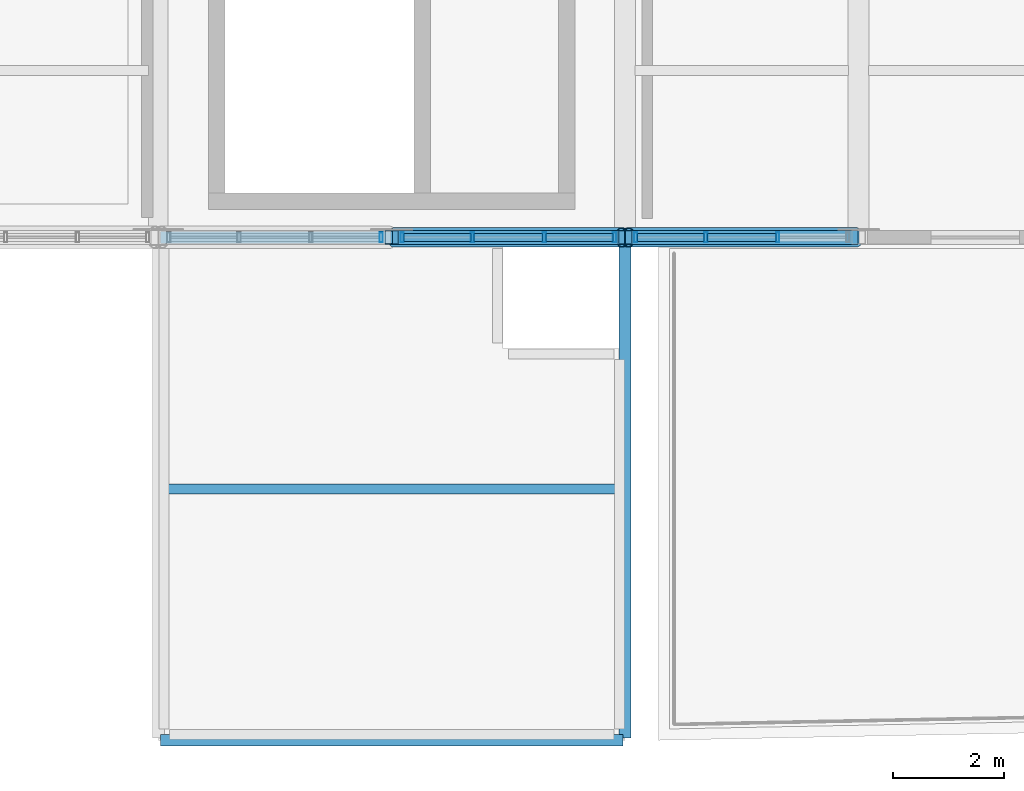
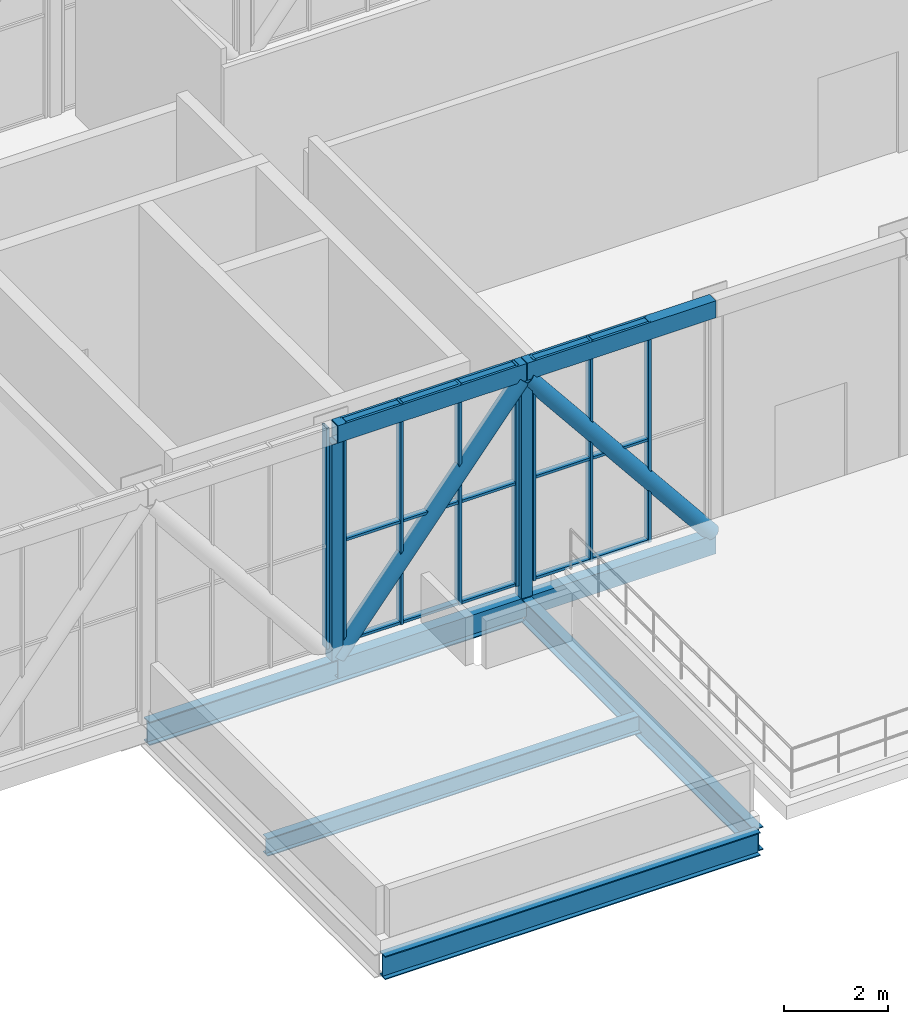
# One storey, part 4 of 58: 31 members, 4 beams, 3 elements without a shape of their own.
"""IFC4 building model written with IfcOpenShell, lengths in metres."""

from ifc_helpers import new_model, si_unit, direction, frame, origin, origin_2d, place, context, subcontext, project, spatial, hollow_rectangle, hollow_circle, i_section, extrude, material, material_profile, profile_set, type_object, element, aggregate, save


model = new_model("IFC4")

# Units and contexts
model_context = context("Model", 3, precision=1e-05, world=origin(), true_north=direction((0.0, 1.0)))
body_context = subcontext(model_context, "Body", "Model", "MODEL_VIEW")
ifc_project = project(units=[si_unit("LENGTHUNIT", "METRE"), si_unit("AREAUNIT", "SQUARE_METRE"), si_unit("VOLUMEUNIT", "CUBIC_METRE"), si_unit("PLANEANGLEUNIT", "RADIAN"), si_unit("MASSUNIT", "GRAM", prefix="KILO")], contexts=[model_context])

# Site, building, storey
site_placement = place(None, origin())
site = spatial("IfcSite", under=ifc_project, at=site_placement, CompositionType="ELEMENT")
building_placement = place(site_placement, origin())
building = spatial("IfcBuilding", under=site, at=building_placement, Name="Khurvash Pelagic Aquarium", CompositionType="ELEMENT")
storey_placement = place(building_placement, frame((0.0, 0.0, 24.60009765625)))
storey = spatial("IfcBuildingStorey", under=building, at=storey_placement, Name="L05", CompositionType="ELEMENT", Elevation=24.60009765625)

# Beams
ifc_material_1 = material(Name="Steel ASTM A992 Grade 50", Category="steel")
ifc_material_profile_1 = material_profile(ifc_material_1, i_section(OverallWidth=0.214111328125, OverallDepth=0.549072265625, WebThickness=0.0146484375, FlangeThickness=0.023681640625, at=origin_2d()), Name="W21X93")
ifc_profile_set_1 = profile_set([ifc_material_profile_1], Name="Steel ASTM A992 Grade 50")
beam_type_1 = type_object("IfcBeamType", Name="BM-11", PredefinedType="BEAM", material=ifc_profile_set_1)
for number, where, z_axis, x_axis, name in (
    (1, (25.239990234375, 2.60009765625, -0.594482421875), (1.0, 0.0, 0.0), (0.0, 1.0, 0.0), "L05 Roof Girder BM-11 01256"),
    (2, (25.239990234375, 11.64990234375, -0.594482421875), (1.0, 0.0, 0.0), (0.0, 1.0, 0.0), "L05 Roof Girder BM-11 01258"),
):
    element("IfcBeam", number, at=place(storey_placement, frame(where, z_axis=z_axis, x_axis=x_axis)), inside=storey, type_object=beam_type_1, Name=name, PredefinedType="BEAM", context=body_context, shape_type="SweptSolid", body=[
        extrude(i_section(OverallWidth=0.214111328125, OverallDepth=0.549072265625, WebThickness=0.0146484375, FlangeThickness=0.023681640625, at=origin_2d()), origin(), (0.0, 0.0, 1.0), 8.320068359375),
    ])
beam_1_placement = place(storey_placement, frame((33.60009765625, 2.639892578125, -0.594482421875), z_axis=(0.0, 1.0, 0.0), x_axis=(-1.0, 0.0, 0.0)))
element("IfcBeam", 3, at=beam_1_placement, inside=storey, type_object=beam_type_1, Name="L05 Roof Girder BM-11 01276", PredefinedType="BEAM", context=body_context, shape_type="SweptSolid", body=[
    extrude(i_section(OverallWidth=0.214111328125, OverallDepth=0.549072265625, WebThickness=0.0146484375, FlangeThickness=0.023681640625, at=origin_2d()), origin(), (0.0, 0.0, 1.0), 8.97021484375),
])

# Curtain wall, member
ifc_material_2 = material(Name="Anodised aluminium and low-E laminated glass", Category="aluminium")
curtain_wall_type = type_object("IfcCurtainWallType", Name="CW-01", PredefinedType="USERDEFINED", material=ifc_material_2)
curtain_wall_1_placement = place(storey_placement, origin())
curtain_wall_1 = element("IfcCurtainWall", 4, at=curtain_wall_1_placement, inside=storey, type_object=curtain_wall_type, Name="L05 South Sky-Bar Unitised Curtain Wall CW-01 P04", ObjectType="UNITISED CURTAIN WALL", PredefinedType="USERDEFINED")
ifc_material_3 = material(Name="Extruded aluminium AW-6063-T6", Category="aluminium")
ifc_material_profile_2 = material_profile(ifc_material_3, hollow_rectangle(XDim=0.06005859375, YDim=0.179931640625, WallThickness=0.00390625, at=origin_2d()), Name="CWM60X180X4")
ifc_profile_set_2 = profile_set([ifc_material_profile_2], Name="Extruded aluminium AW-6063-T6")
member_type_1 = type_object("IfcMemberType", Name="CM-01", PredefinedType="MULLION", material=ifc_profile_set_2)
member_1_placement = place(storey_placement, frame((29.2099609375, 11.64990234375, 0.0), z_axis=(0.0, 0.0, 1.0), x_axis=(1.0, 0.0, 0.0)))
member_1 = element("IfcMember", 5, at=member_1_placement, type_object=member_type_1, Name="CW-01 mullion 4", PredefinedType="MULLION", context=body_context, shape_type="SweptSolid", body=[
    extrude(hollow_rectangle(XDim=0.06005859375, YDim=0.179931640625, WallThickness=0.00390625, at=origin_2d()), origin(), (0.0, 0.0, 1.0), 5.179931640625),
])
aggregate(curtain_wall_1, [member_1])

# Curtain wall, members
curtain_wall_2_placement = place(storey_placement, origin())
curtain_wall_2 = element("IfcCurtainWall", 6, at=curtain_wall_2_placement, inside=storey, type_object=curtain_wall_type, Name="L05 South Sky-Bar Unitised Curtain Wall CW-01 P05", ObjectType="UNITISED CURTAIN WALL", PredefinedType="USERDEFINED")
member_2_placement = place(storey_placement, frame((29.590087890625, 11.64990234375, 0.0), z_axis=(0.0, 0.0, 1.0), x_axis=(1.0, 0.0, 0.0)))
member_2 = element("IfcMember", 7, at=member_2_placement, type_object=member_type_1, Name="CW-01 mullion 1", PredefinedType="MULLION", context=body_context, shape_type="SweptSolid", body=[
    extrude(hollow_rectangle(XDim=0.06005859375, YDim=0.179931640625, WallThickness=0.00390625, at=origin_2d()), origin(), (0.0, 0.0, 1.0), 5.179931640625),
])
member_3_placement = place(storey_placement, frame((30.853271484375, 11.64990234375, 0.0), z_axis=(0.0, 0.0, 1.0), x_axis=(1.0, 0.0, 0.0)))
member_3 = element("IfcMember", 8, at=member_3_placement, type_object=member_type_1, Name="CW-01 mullion 2", PredefinedType="MULLION", context=body_context, shape_type="SweptSolid", body=[
    extrude(hollow_rectangle(XDim=0.06005859375, YDim=0.179931640625, WallThickness=0.00390625, at=origin_2d()), origin(), (0.0, 0.0, 1.0), 5.179931640625),
])
member_4_placement = place(storey_placement, frame((32.146728515625, 11.64990234375, 0.0), z_axis=(0.0, 0.0, 1.0), x_axis=(1.0, 0.0, 0.0)))
member_4 = element("IfcMember", 9, at=member_4_placement, type_object=member_type_1, Name="CW-01 mullion 3", PredefinedType="MULLION", context=body_context, shape_type="SweptSolid", body=[
    extrude(hollow_rectangle(XDim=0.06005859375, YDim=0.179931640625, WallThickness=0.00390625, at=origin_2d()), origin(), (0.0, 0.0, 1.0), 5.179931640625),
])
member_5_placement = place(storey_placement, frame((33.409912109375, 11.64990234375, 0.0), z_axis=(0.0, 0.0, 1.0), x_axis=(1.0, 0.0, 0.0)))
member_5 = element("IfcMember", 10, at=member_5_placement, type_object=member_type_1, Name="CW-01 mullion 4", PredefinedType="MULLION", context=body_context, shape_type="SweptSolid", body=[
    extrude(hollow_rectangle(XDim=0.06005859375, YDim=0.179931640625, WallThickness=0.00390625, at=origin_2d()), origin(), (0.0, 0.0, 1.0), 5.179931640625),
])

curtain_wall_3_placement = place(storey_placement, origin())
curtain_wall_3 = element("IfcCurtainWall", 11, at=curtain_wall_3_placement, inside=storey, type_object=curtain_wall_type, Name="L05 South Sky-Bar Unitised Curtain Wall CW-01 P06", ObjectType="UNITISED CURTAIN WALL", PredefinedType="USERDEFINED")
member_6_placement = place(storey_placement, frame((33.7900390625, 11.64990234375, 0.0), z_axis=(0.0, 0.0, 1.0), x_axis=(1.0, 0.0, 0.0)))
member_6 = element("IfcMember", 12, at=member_6_placement, type_object=member_type_1, Name="CW-01 mullion 1", PredefinedType="MULLION", context=body_context, shape_type="SweptSolid", body=[
    extrude(hollow_rectangle(XDim=0.06005859375, YDim=0.179931640625, WallThickness=0.00390625, at=origin_2d()), origin(), (0.0, 0.0, 1.0), 5.179931640625),
])
member_7_placement = place(storey_placement, frame((35.05322265625, 11.64990234375, 0.0), z_axis=(0.0, 0.0, 1.0), x_axis=(1.0, 0.0, 0.0)))
member_7 = element("IfcMember", 13, at=member_7_placement, type_object=member_type_1, Name="CW-01 mullion 2", PredefinedType="MULLION", context=body_context, shape_type="SweptSolid", body=[
    extrude(hollow_rectangle(XDim=0.06005859375, YDim=0.179931640625, WallThickness=0.00390625, at=origin_2d()), origin(), (0.0, 0.0, 1.0), 5.179931640625),
])
member_8_placement = place(storey_placement, frame((36.3466796875, 11.64990234375, 0.0), z_axis=(0.0, 0.0, 1.0), x_axis=(1.0, 0.0, 0.0)))
member_8 = element("IfcMember", 14, at=member_8_placement, type_object=member_type_1, Name="CW-01 mullion 3", PredefinedType="MULLION", context=body_context, shape_type="SweptSolid", body=[
    extrude(hollow_rectangle(XDim=0.06005859375, YDim=0.179931640625, WallThickness=0.00390625, at=origin_2d()), origin(), (0.0, 0.0, 1.0), 5.179931640625),
])

# Member
ifc_material_profile_3 = material_profile(ifc_material_3, hollow_rectangle(XDim=0.139892578125, YDim=0.06005859375, WallThickness=0.00390625, at=origin_2d()), Name="CWT140X60X4")
ifc_profile_set_3 = profile_set([ifc_material_profile_3], Name="Extruded aluminium AW-6063-T6")
member_type_2 = type_object("IfcMemberType", Name="CT-01", PredefinedType="USERDEFINED", material=ifc_profile_set_3)
member_9_placement = place(storey_placement, frame((29.6201171875, 11.64990234375, 0.02978515625), z_axis=(1.0, 0.0, 0.0), x_axis=(0.0, 1.0, 0.0)))
member_9 = element("IfcMember", 15, at=member_9_placement, type_object=member_type_2, Name="CW-01 transom 1.1", ObjectType="TRANSOM", PredefinedType="USERDEFINED", context=body_context, shape_type="SweptSolid", body=[
    extrude(hollow_rectangle(XDim=0.139892578125, YDim=0.06005859375, WallThickness=0.00390625, at=origin_2d()), origin(), (0.0, 0.0, 1.0), 1.203125),
])

member_10_placement = place(storey_placement, frame((29.6201171875, 11.64990234375, 2.39990234375), z_axis=(1.0, 0.0, 0.0), x_axis=(0.0, 1.0, 0.0)))
member_10 = element("IfcMember", 16, at=member_10_placement, type_object=member_type_2, Name="CW-01 transom 1.2", ObjectType="TRANSOM", PredefinedType="USERDEFINED", context=body_context, shape_type="SweptSolid", body=[
    extrude(hollow_rectangle(XDim=0.139892578125, YDim=0.06005859375, WallThickness=0.00390625, at=origin_2d()), origin(), (0.0, 0.0, 1.0), 1.203125),
])

member_11_placement = place(storey_placement, frame((29.6201171875, 11.64990234375, 5.14990234375), z_axis=(1.0, 0.0, 0.0), x_axis=(0.0, 1.0, 0.0)))
member_11 = element("IfcMember", 17, at=member_11_placement, type_object=member_type_2, Name="CW-01 transom 1.3", ObjectType="TRANSOM", PredefinedType="USERDEFINED", context=body_context, shape_type="SweptSolid", body=[
    extrude(hollow_rectangle(XDim=0.139892578125, YDim=0.06005859375, WallThickness=0.00390625, at=origin_2d()), origin(), (0.0, 0.0, 1.0), 1.203125),
])

member_12_placement = place(storey_placement, frame((30.88330078125, 11.64990234375, 0.02978515625), z_axis=(1.0, 0.0, 0.0), x_axis=(0.0, 1.0, 0.0)))
member_12 = element("IfcMember", 18, at=member_12_placement, type_object=member_type_2, Name="CW-01 transom 2.1", ObjectType="TRANSOM", PredefinedType="USERDEFINED", context=body_context, shape_type="SweptSolid", body=[
    extrude(hollow_rectangle(XDim=0.139892578125, YDim=0.06005859375, WallThickness=0.00390625, at=origin_2d()), origin(), (0.0, 0.0, 1.0), 1.2333984375),
])

member_13_placement = place(storey_placement, frame((30.88330078125, 11.64990234375, 2.39990234375), z_axis=(1.0, 0.0, 0.0), x_axis=(0.0, 1.0, 0.0)))
member_13 = element("IfcMember", 19, at=member_13_placement, type_object=member_type_2, Name="CW-01 transom 2.2", ObjectType="TRANSOM", PredefinedType="USERDEFINED", context=body_context, shape_type="SweptSolid", body=[
    extrude(hollow_rectangle(XDim=0.139892578125, YDim=0.06005859375, WallThickness=0.00390625, at=origin_2d()), origin(), (0.0, 0.0, 1.0), 1.2333984375),
])

member_14_placement = place(storey_placement, frame((30.88330078125, 11.64990234375, 5.14990234375), z_axis=(1.0, 0.0, 0.0), x_axis=(0.0, 1.0, 0.0)))
member_14 = element("IfcMember", 20, at=member_14_placement, type_object=member_type_2, Name="CW-01 transom 2.3", ObjectType="TRANSOM", PredefinedType="USERDEFINED", context=body_context, shape_type="SweptSolid", body=[
    extrude(hollow_rectangle(XDim=0.139892578125, YDim=0.06005859375, WallThickness=0.00390625, at=origin_2d()), origin(), (0.0, 0.0, 1.0), 1.2333984375),
])

member_15_placement = place(storey_placement, frame((32.1767578125, 11.64990234375, 0.02978515625), z_axis=(1.0, 0.0, 0.0), x_axis=(0.0, 1.0, 0.0)))
member_15 = element("IfcMember", 21, at=member_15_placement, type_object=member_type_2, Name="CW-01 transom 3.1", ObjectType="TRANSOM", PredefinedType="USERDEFINED", context=body_context, shape_type="SweptSolid", body=[
    extrude(hollow_rectangle(XDim=0.139892578125, YDim=0.06005859375, WallThickness=0.00390625, at=origin_2d()), origin(), (0.0, 0.0, 1.0), 1.203125),
])

member_16_placement = place(storey_placement, frame((32.1767578125, 11.64990234375, 2.39990234375), z_axis=(1.0, 0.0, 0.0), x_axis=(0.0, 1.0, 0.0)))
member_16 = element("IfcMember", 22, at=member_16_placement, type_object=member_type_2, Name="CW-01 transom 3.2", ObjectType="TRANSOM", PredefinedType="USERDEFINED", context=body_context, shape_type="SweptSolid", body=[
    extrude(hollow_rectangle(XDim=0.139892578125, YDim=0.06005859375, WallThickness=0.00390625, at=origin_2d()), origin(), (0.0, 0.0, 1.0), 1.203125),
])

member_17_placement = place(storey_placement, frame((32.1767578125, 11.64990234375, 5.14990234375), z_axis=(1.0, 0.0, 0.0), x_axis=(0.0, 1.0, 0.0)))
member_17 = element("IfcMember", 23, at=member_17_placement, type_object=member_type_2, Name="CW-01 transom 3.3", ObjectType="TRANSOM", PredefinedType="USERDEFINED", context=body_context, shape_type="SweptSolid", body=[
    extrude(hollow_rectangle(XDim=0.139892578125, YDim=0.06005859375, WallThickness=0.00390625, at=origin_2d()), origin(), (0.0, 0.0, 1.0), 1.203125),
])

aggregate(curtain_wall_2, [member_2, member_3, member_4, member_5, member_9, member_10, member_11, member_12, member_13, member_14, member_15, member_16, member_17])

member_18_placement = place(storey_placement, frame((33.820068359375, 11.64990234375, 0.02978515625), z_axis=(1.0, 0.0, 0.0), x_axis=(0.0, 1.0, 0.0)))
member_18 = element("IfcMember", 24, at=member_18_placement, type_object=member_type_2, Name="CW-01 transom 1.1", ObjectType="TRANSOM", PredefinedType="USERDEFINED", context=body_context, shape_type="SweptSolid", body=[
    extrude(hollow_rectangle(XDim=0.139892578125, YDim=0.06005859375, WallThickness=0.00390625, at=origin_2d()), origin(), (0.0, 0.0, 1.0), 1.203369140625),
])

member_19_placement = place(storey_placement, frame((33.820068359375, 11.64990234375, 2.39990234375), z_axis=(1.0, 0.0, 0.0), x_axis=(0.0, 1.0, 0.0)))
member_19 = element("IfcMember", 25, at=member_19_placement, type_object=member_type_2, Name="CW-01 transom 1.2", ObjectType="TRANSOM", PredefinedType="USERDEFINED", context=body_context, shape_type="SweptSolid", body=[
    extrude(hollow_rectangle(XDim=0.139892578125, YDim=0.06005859375, WallThickness=0.00390625, at=origin_2d()), origin(), (0.0, 0.0, 1.0), 1.203369140625),
])

member_20_placement = place(storey_placement, frame((33.820068359375, 11.64990234375, 5.14990234375), z_axis=(1.0, 0.0, 0.0), x_axis=(0.0, 1.0, 0.0)))
member_20 = element("IfcMember", 26, at=member_20_placement, type_object=member_type_2, Name="CW-01 transom 1.3", ObjectType="TRANSOM", PredefinedType="USERDEFINED", context=body_context, shape_type="SweptSolid", body=[
    extrude(hollow_rectangle(XDim=0.139892578125, YDim=0.06005859375, WallThickness=0.00390625, at=origin_2d()), origin(), (0.0, 0.0, 1.0), 1.203369140625),
])

member_21_placement = place(storey_placement, frame((35.083251953125, 11.64990234375, 0.02978515625), z_axis=(1.0, 0.0, 0.0), x_axis=(0.0, 1.0, 0.0)))
member_21 = element("IfcMember", 27, at=member_21_placement, type_object=member_type_2, Name="CW-01 transom 2.1", ObjectType="TRANSOM", PredefinedType="USERDEFINED", context=body_context, shape_type="SweptSolid", body=[
    extrude(hollow_rectangle(XDim=0.139892578125, YDim=0.06005859375, WallThickness=0.00390625, at=origin_2d()), origin(), (0.0, 0.0, 1.0), 1.2333984375),
])

member_22_placement = place(storey_placement, frame((35.083251953125, 11.64990234375, 2.39990234375), z_axis=(1.0, 0.0, 0.0), x_axis=(0.0, 1.0, 0.0)))
member_22 = element("IfcMember", 28, at=member_22_placement, type_object=member_type_2, Name="CW-01 transom 2.2", ObjectType="TRANSOM", PredefinedType="USERDEFINED", context=body_context, shape_type="SweptSolid", body=[
    extrude(hollow_rectangle(XDim=0.139892578125, YDim=0.06005859375, WallThickness=0.00390625, at=origin_2d()), origin(), (0.0, 0.0, 1.0), 1.2333984375),
])

member_23_placement = place(storey_placement, frame((35.083251953125, 11.64990234375, 5.14990234375), z_axis=(1.0, 0.0, 0.0), x_axis=(0.0, 1.0, 0.0)))
member_23 = element("IfcMember", 29, at=member_23_placement, type_object=member_type_2, Name="CW-01 transom 2.3", ObjectType="TRANSOM", PredefinedType="USERDEFINED", context=body_context, shape_type="SweptSolid", body=[
    extrude(hollow_rectangle(XDim=0.139892578125, YDim=0.06005859375, WallThickness=0.00390625, at=origin_2d()), origin(), (0.0, 0.0, 1.0), 1.2333984375),
])

aggregate(curtain_wall_3, [member_6, member_7, member_8, member_18, member_19, member_20, member_21, member_22, member_23])

# Beam
ifc_material_profile_4 = material_profile(ifc_material_1, i_section(OverallWidth=0.180908203125, OverallDepth=0.4169921875, WebThickness=0.010986328125, FlangeThickness=0.018310546875, at=origin_2d()), Name="W16X57")
ifc_profile_set_4 = profile_set([ifc_material_profile_4], Name="Steel ASTM A992 Grade 50")
beam_type_2 = type_object("IfcBeamType", Name="JS-03", PredefinedType="JOIST", material=ifc_profile_set_4)
beam_2_placement = place(storey_placement, frame((25.260009765625, 7.125, -0.528564453125), z_axis=(1.0, 0.0, 0.0), x_axis=(0.0, 1.0, 0.0)))
element("IfcBeam", 30, at=beam_2_placement, inside=storey, type_object=beam_type_2, Name="L05 Roof Joist JS-03", PredefinedType="JOIST", context=body_context, shape_type="SweptSolid", body=[
    extrude(i_section(OverallWidth=0.180908203125, OverallDepth=0.4169921875, WebThickness=0.010986328125, FlangeThickness=0.018310546875, at=origin_2d()), origin(), (0.0, 0.0, 1.0), 8.280029296875),
])

# Members
ifc_material_4 = material(Name="Steel S355J2", Category="steel")
ifc_material_profile_5 = material_profile(ifc_material_4, hollow_rectangle(XDim=0.25, YDim=0.449951171875, WallThickness=0.02001953125, at=origin_2d()), Name="RHS450X250X20")
ifc_profile_set_5 = profile_set([ifc_material_profile_5], Name="Steel S355J2")
member_type_3 = type_object("IfcMemberType", Name="TC-01", PredefinedType="CHORD", material=ifc_profile_set_5)
member_24_placement = place(storey_placement, frame((29.409912109375, 11.64990234375, -0.525146484375), z_axis=(1.0, 0.0, 0.0), x_axis=(0.0, 1.0, 0.0)))
element("IfcMember", 31, at=member_24_placement, inside=storey, type_object=member_type_3, Name="L05 South Sky-Bar Warren Truss Bottom Chord TC-01 P05", PredefinedType="CHORD", context=body_context, shape_type="SweptSolid", body=[
    extrude(hollow_rectangle(XDim=0.25, YDim=0.449951171875, WallThickness=0.02001953125, at=origin_2d()), origin(), (0.0, 0.0, 1.0), 4.18017578125),
])
member_25_placement = place(storey_placement, frame((33.610107421875, 11.64990234375, -0.525146484375), z_axis=(1.0, 0.0, 0.0), x_axis=(0.0, 1.0, 0.0)))
element("IfcMember", 32, at=member_25_placement, inside=storey, type_object=member_type_3, Name="L05 South Sky-Bar Warren Truss Bottom Chord TC-01 P06", PredefinedType="CHORD", context=body_context, shape_type="SweptSolid", body=[
    extrude(hollow_rectangle(XDim=0.25, YDim=0.449951171875, WallThickness=0.02001953125, at=origin_2d()), origin(), (0.0, 0.0, 1.0), 4.179931640625),
])
ifc_material_profile_6 = material_profile(ifc_material_4, hollow_rectangle(XDim=0.25, YDim=0.39990234375, WallThickness=0.01611328125, at=origin_2d()), Name="RHS400X250X16")
ifc_profile_set_6 = profile_set([ifc_material_profile_6], Name="Steel S355J2")
member_type_4 = type_object("IfcMemberType", Name="TC-02", PredefinedType="CHORD", material=ifc_profile_set_6)
member_26_placement = place(storey_placement, frame((29.409912109375, 11.64990234375, 4.97998046875), z_axis=(1.0, 0.0, 0.0), x_axis=(0.0, 1.0, 0.0)))
element("IfcMember", 33, at=member_26_placement, inside=storey, type_object=member_type_4, Name="L05 South Sky-Bar Warren Truss Top Chord TC-02 P05", PredefinedType="CHORD", context=body_context, shape_type="SweptSolid", body=[
    extrude(hollow_rectangle(XDim=0.25, YDim=0.39990234375, WallThickness=0.01611328125, at=origin_2d()), origin(), (0.0, 0.0, 1.0), 4.18017578125),
])
member_27_placement = place(storey_placement, frame((33.610107421875, 11.64990234375, 4.97998046875), z_axis=(1.0, 0.0, 0.0), x_axis=(0.0, 1.0, 0.0)))
element("IfcMember", 34, at=member_27_placement, inside=storey, type_object=member_type_4, Name="L05 South Sky-Bar Warren Truss Top Chord TC-02 P06", PredefinedType="CHORD", context=body_context, shape_type="SweptSolid", body=[
    extrude(hollow_rectangle(XDim=0.25, YDim=0.39990234375, WallThickness=0.01611328125, at=origin_2d()), origin(), (0.0, 0.0, 1.0), 4.179931640625),
])
ifc_material_profile_7 = material_profile(ifc_material_4, hollow_circle(Radius=0.177734375, WallThickness=0.01416015625, at=origin_2d()), Name="CHS355X14")
ifc_profile_set_7 = profile_set([ifc_material_profile_7], Name="Steel S355J2")
member_type_5 = type_object("IfcMemberType", Name="TD-02", PredefinedType="BRACE", material=ifc_profile_set_7)
for number, where, z_axis, x_axis, name in (
    (35, (29.449951171875, 11.64990234375, -0.300048828125), (0.628073304864, 0.0, 0.778154177343), (0.0, 1.0, 0.0), "L05 South Sky-Bar Warren Truss Diagonal TD-02 P05"),
    (36, (33.64990234375, 11.64990234375, 4.77978515625), (0.628073304864, 0.0, -0.778154177343), (0.0, 1.0, 0.0), "L05 South Sky-Bar Warren Truss Diagonal TD-02 P06"),
):
    element("IfcMember", number, at=place(storey_placement, frame(where, z_axis=z_axis, x_axis=x_axis)), inside=storey, type_object=member_type_5, Name=name, PredefinedType="BRACE", context=body_context, shape_type="SweptSolid", body=[
        extrude(hollow_circle(Radius=0.177734375, WallThickness=0.01416015625, at=origin_2d()), origin(), (0.0, 0.0, 1.0), 6.528076171875),
    ])
ifc_material_profile_8 = material_profile(ifc_material_4, hollow_rectangle(XDim=0.25, YDim=0.25, WallThickness=0.012451171875, at=origin_2d()), Name="SHS250X250X12")
ifc_profile_set_8 = profile_set([ifc_material_profile_8], Name="Steel S355J2")
member_type_6 = type_object("IfcMemberType", Name="TV-02", PredefinedType="POST", material=ifc_profile_set_8)
for number, where, z_axis, x_axis, name in (
    (37, (29.39990234375, 11.64990234375, -0.300048828125), (0.0, 0.0, 1.0), (1.0, 0.0, 0.0), "L05 South Sky-Bar Truss Post TV-02 N05"),
    (38, (33.60009765625, 11.64990234375, -0.300048828125), (0.0, 0.0, 1.0), (1.0, 0.0, 0.0), "L05 South Sky-Bar Truss Post TV-02 N06"),
):
    element("IfcMember", number, at=place(storey_placement, frame(where, z_axis=z_axis, x_axis=x_axis)), inside=storey, type_object=member_type_6, Name=name, PredefinedType="POST", context=body_context, shape_type="SweptSolid", body=[
        extrude(hollow_rectangle(XDim=0.25, YDim=0.25, WallThickness=0.012451171875, at=origin_2d()), origin(), (0.0, 0.0, 1.0), 5.079833984375),
    ])

save(model, "model.ifc")
